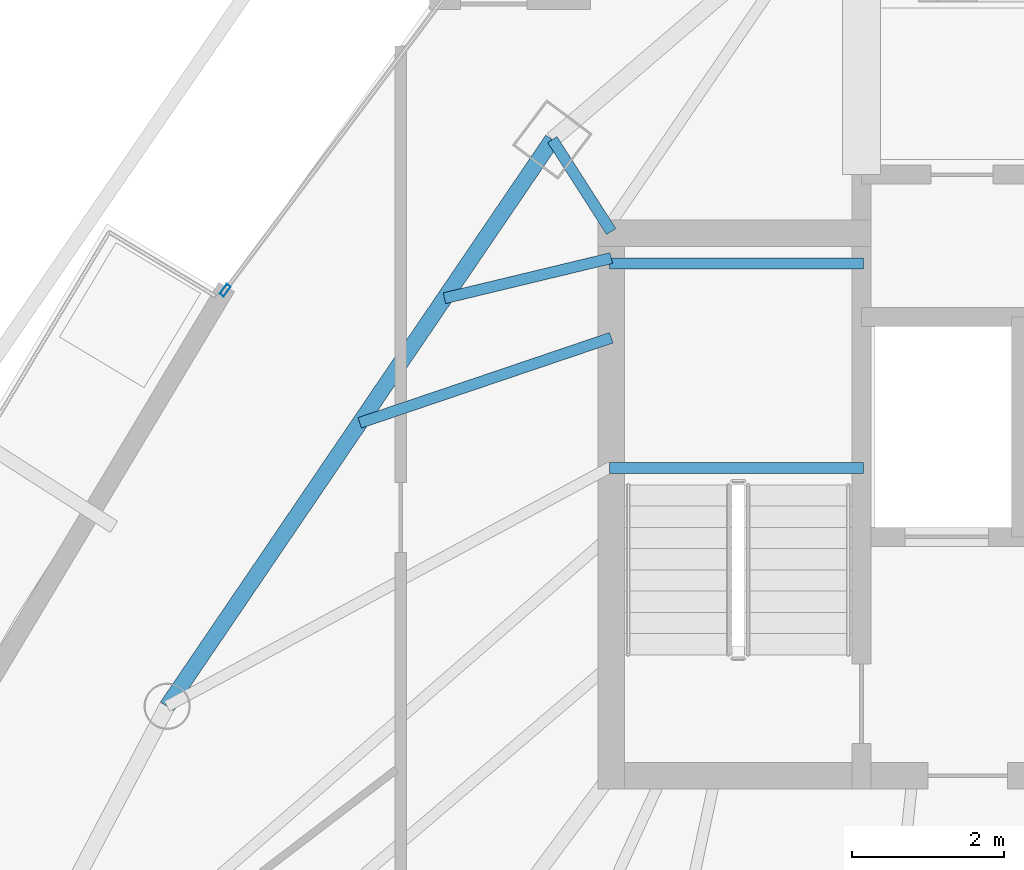
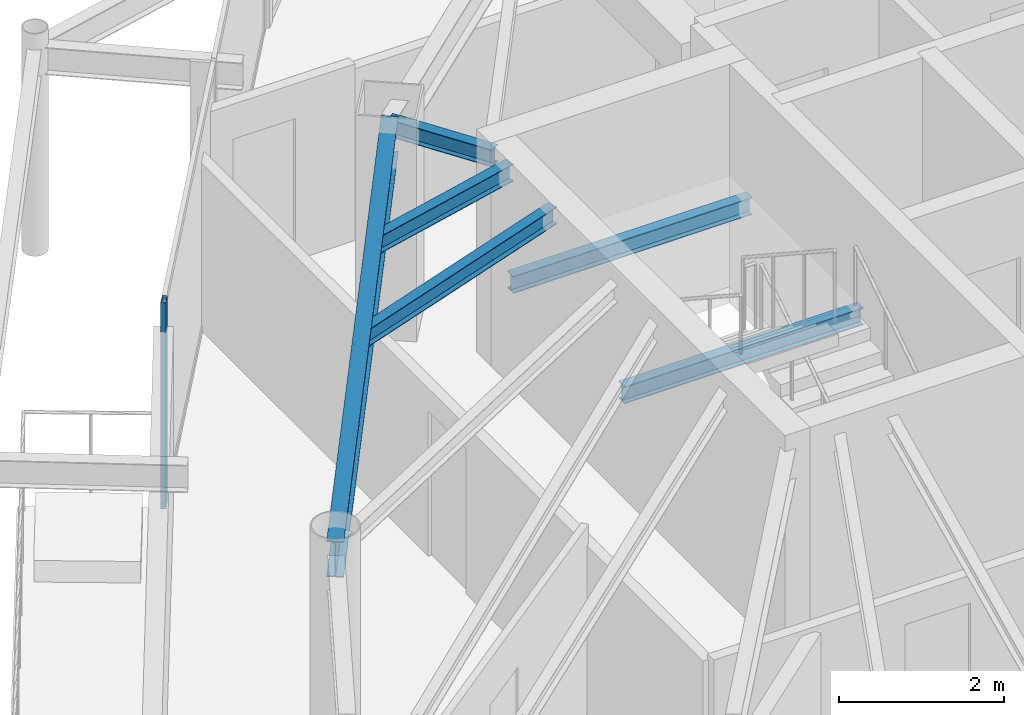
# One storey, part 13 of 33: 6 beams, 1 member, 1 element without a shape of its own.
"""IFC4 building model written with IfcOpenShell, lengths in metres."""

from ifc_helpers import new_model, si_unit, direction, frame, origin, origin_2d, place, context, subcontext, project, spatial, hollow_rectangle, i_section, extrude, material, layer, layer_set, material_profile, profile_set, type_object, element, aggregate, save


model = new_model("IFC4")

# Units and contexts
model_context = context("Model", 3, precision=1e-05, world=origin(), true_north=direction((0.0, 1.0)))
body_context = subcontext(model_context, "Body", "Model", "MODEL_VIEW")
ifc_project = project(units=[si_unit("LENGTHUNIT", "METRE"), si_unit("AREAUNIT", "SQUARE_METRE"), si_unit("VOLUMEUNIT", "CUBIC_METRE"), si_unit("PLANEANGLEUNIT", "RADIAN"), si_unit("MASSUNIT", "GRAM", prefix="KILO")], contexts=[model_context])

# Site, building, storey
site_placement = place(None, origin())
site = spatial("IfcSite", under=ifc_project, at=site_placement, CompositionType="ELEMENT")
building_placement = place(site_placement, origin())
building = spatial("IfcBuilding", under=site, at=building_placement, Name="Orvanel Arch Residences", CompositionType="ELEMENT")
storey_placement = place(building_placement, frame((0.0, 0.0, 206.300048828125)))
storey = spatial("IfcBuildingStorey", under=building, at=storey_placement, Name="L58", CompositionType="ELEMENT", Elevation=206.300048828125)

# Beams
ifc_material_1 = material(Name="Structural steel AS/NZS 3679.1 Grade 300 (300 MPa)", Category="steel")
ifc_material_profile_1 = material_profile(ifc_material_1, i_section(OverallWidth=0.14599609375, OverallDepth=0.251953125, WebThickness=0.006103515625, FlangeThickness=0.008544921875, at=origin_2d()), Name="250UB31.4")
ifc_profile_set_1 = profile_set([ifc_material_profile_1], Name="Structural steel AS/NZS 3679.1 Grade 300 (300 MPa)")
beam_type_1 = type_object("IfcBeamType", Name="BJ-250UB", PredefinedType="JOIST", material=ifc_profile_set_1)
for number, where, z_axis, x_axis, name in (
    (1, (26.39990234375, 30.780029296875, 1.323974609375), (1.0, 0.0, 0.0), (0.0, 1.0, 0.0), "L58 ST-1 Half-Landing Support Beam 1.1"),
    (2, (26.39990234375, 33.47998046875, 1.323974609375), (1.0, 0.0, 0.0), (0.0, 1.0, 0.0), "L58 ST-1 Half-Landing Support Beam 1.2"),
):
    element("IfcBeam", number, at=place(storey_placement, frame(where, z_axis=z_axis, x_axis=x_axis)), inside=storey, type_object=beam_type_1, Name=name, PredefinedType="JOIST", context=body_context, shape_type="SweptSolid", body=[
        extrude(i_section(OverallWidth=0.14599609375, OverallDepth=0.251953125, WebThickness=0.006103515625, FlangeThickness=0.008544921875, at=origin_2d()), origin(), (0.0, 0.0, 1.0), 3.35009765625),
    ])
beam_1_placement = place(storey_placement, frame((26.425048828125, 33.89990234375, 2.933837890625), z_axis=(-0.539395075146, 0.842052820735, 0.0), x_axis=(-0.842052820735, -0.539395075146, 0.0)))
element("IfcBeam", 3, at=beam_1_placement, inside=storey, type_object=beam_type_1, Name="L58 NNW Wing Floor Joist", PredefinedType="JOIST", context=body_context, shape_type="SweptSolid", body=[
    extrude(i_section(OverallWidth=0.14599609375, OverallDepth=0.251953125, WebThickness=0.006103515625, FlangeThickness=0.008544921875, at=origin_2d()), origin(), (0.0, 0.0, 1.0), 1.440673828125),
])
beam_2_placement = place(storey_placement, frame((26.425048828125, 32.5, 2.933837890625), z_axis=(-0.947187956478, -0.320678928373, 0.0), x_axis=(0.320678928373, -0.947187956478, 0.0)))
element("IfcBeam", 4, at=beam_2_placement, inside=storey, type_object=beam_type_1, Name="L58 WNW Wing Floor Joist", PredefinedType="JOIST", context=body_context, shape_type="SweptSolid", body=[
    extrude(i_section(OverallWidth=0.14599609375, OverallDepth=0.251953125, WebThickness=0.006103515625, FlangeThickness=0.008544921875, at=origin_2d()), origin(), (0.0, 0.0, 1.0), 3.502197265625),
])
beam_3_placement = place(storey_placement, frame((26.425048828125, 33.550048828125, 2.933837890625), z_axis=(-0.972256833016, -0.23391590509, 0.0), x_axis=(0.23391590509, -0.972256833016, 0.0)))
element("IfcBeam", 5, at=beam_3_placement, inside=storey, type_object=beam_type_1, Name="L58 JADD3 Wing Floor Joist", PredefinedType="JOIST", context=body_context, shape_type="SweptSolid", body=[
    extrude(i_section(OverallWidth=0.14599609375, OverallDepth=0.251953125, WebThickness=0.006103515625, FlangeThickness=0.008544921875, at=origin_2d()), origin(), (0.0, 0.0, 1.0), 2.26171875),
])

# Curtain wall, member
ifc_material_2 = material(Name="Bronze-anodised aluminium AA6063-T6", Category="aluminium")
ifc_layer = layer(ifc_material_2, 0.175048828125)
ifc_layer_set = layer_set([ifc_layer], Name="Bronze-anodised aluminium AA6063-T6")
curtain_wall_type = type_object("IfcCurtainWallType", Name="CW4-HI-SYS", PredefinedType="NOTDEFINED", material=ifc_layer_set)
curtain_wall_placement = place(storey_placement, origin())
curtain_wall = element("IfcCurtainWall", 6, at=curtain_wall_placement, inside=storey, type_object=curtain_wall_type, Name="L58 CW4-HI-SYS Unitised Curtain Wall", PredefinedType="NOTDEFINED")
ifc_material_profile_2 = material_profile(ifc_material_2, hollow_rectangle(XDim=0.06494140625, YDim=0.159912109375, WallThickness=0.00390625, at=origin_2d()), Name="ALU160x65x4")
ifc_profile_set_2 = profile_set([ifc_material_profile_2], Name="Bronze-anodised aluminium AA6063-T6")
member_type = type_object("IfcMemberType", Name="MUL-160x65", PredefinedType="MULLION", material=ifc_profile_set_2)
member_placement = place(storey_placement, frame((21.33447265625, 33.126953125, 0.0), z_axis=(0.0, 0.0, 1.0), x_axis=(0.800635505282, -0.599151723424, 0.0)))
member = element("IfcMember", 7, at=member_placement, type_object=member_type, Name="CW-S4 mullion 3", PredefinedType="MULLION", context=body_context, shape_type="SweptSolid", body=[
    extrude(hollow_rectangle(XDim=0.06494140625, YDim=0.159912109375, WallThickness=0.00390625, at=origin_2d()), origin(), (0.0, 0.0, 1.0), 3.06005859375),
])
aggregate(curtain_wall, [member])

# Beam
ifc_material_profile_3 = material_profile(ifc_material_1, i_section(OverallWidth=0.208984375, OverallDepth=0.532958984375, WebThickness=0.01025390625, FlangeThickness=0.015625, at=origin_2d()), Name="530UB92.4")
ifc_profile_set_3 = profile_set([ifc_material_profile_3], Name="Structural steel AS/NZS 3679.1 Grade 300 (300 MPa)")
beam_type_2 = type_object("IfcBeamType", Name="SP-530UB", PredefinedType="SPANDREL", material=ifc_profile_set_3)
beam_4_placement = place(storey_placement, frame((25.64794921875, 35.113037109375, 2.7939453125), z_axis=(-0.562154793153, -0.827032035978, 0.0), x_axis=(0.827032035978, -0.562154793153, 0.0)))
element("IfcBeam", 8, at=beam_4_placement, inside=storey, type_object=beam_type_2, Name="L58 Perimeter Spandrel Beam 11", PredefinedType="SPANDREL", context=body_context, shape_type="SweptSolid", body=[
    extrude(i_section(OverallWidth=0.208984375, OverallDepth=0.532958984375, WebThickness=0.01025390625, FlangeThickness=0.015625, at=origin_2d()), origin(), (0.0, 0.0, 1.0), 9.03466796875),
])

save(model, "model.ifc")
